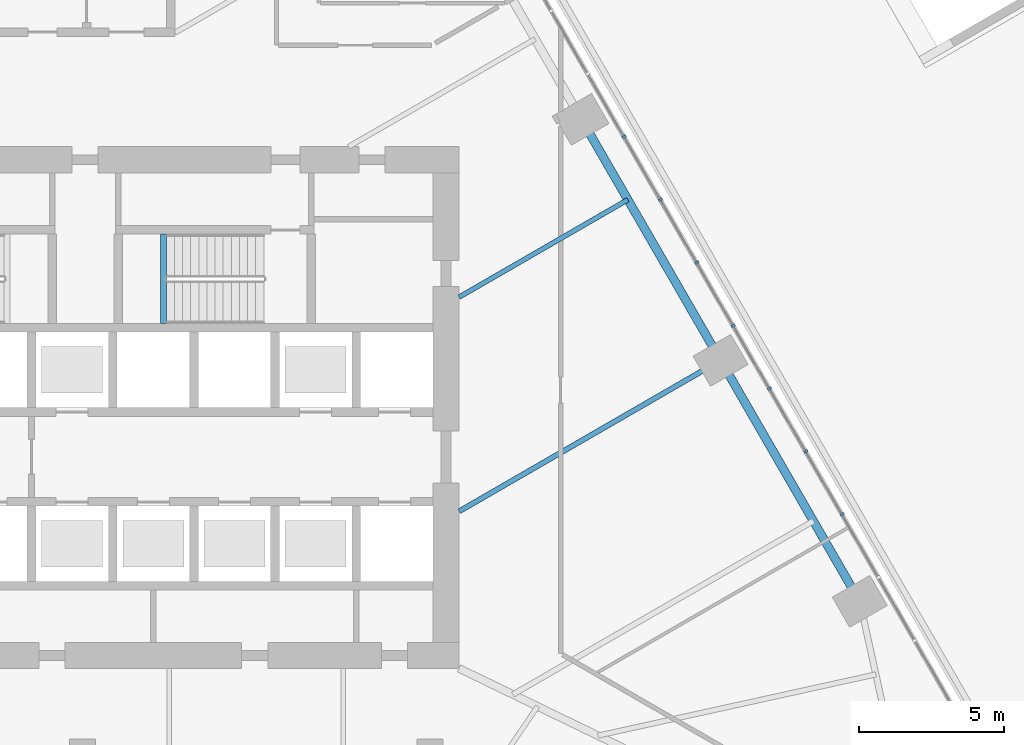
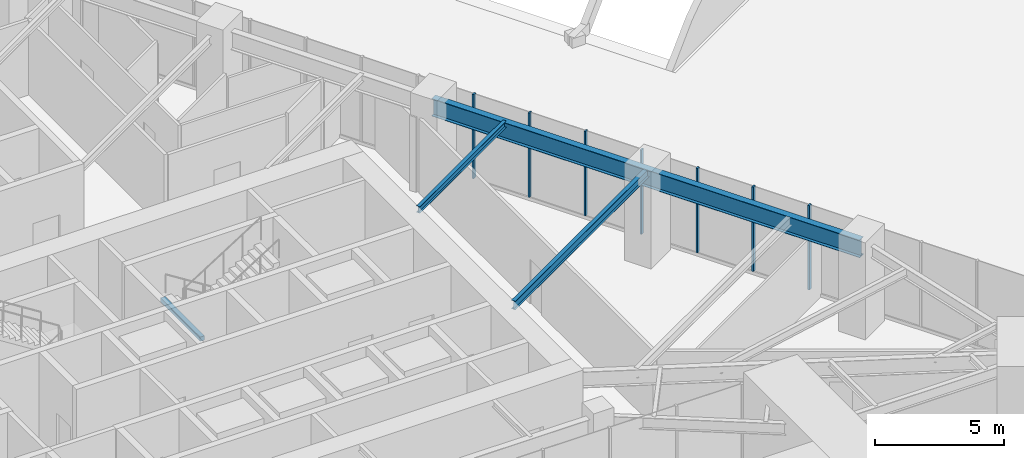
# One storey, part 7 of 23: 7 members, 4 beams, 1 element without a shape of its own.
"""IFC4 building model written with IfcOpenShell, lengths in metres."""

from ifc_helpers import new_model, si_unit, direction, frame, origin, origin_2d, place, context, subcontext, project, spatial, rectangle, i_section, extrude, material, layer, layer_set, material_profile, profile_set, type_object, element, aggregate, save


model = new_model("IFC4")

# Units and contexts
model_context = context("Model", 3, precision=1e-05, world=origin(), true_north=direction((0.0, 1.0)))
body_context = subcontext(model_context, "Body", "Model", "MODEL_VIEW")
ifc_project = project(units=[si_unit("LENGTHUNIT", "METRE"), si_unit("AREAUNIT", "SQUARE_METRE"), si_unit("VOLUMEUNIT", "CUBIC_METRE"), si_unit("PLANEANGLEUNIT", "RADIAN"), si_unit("MASSUNIT", "GRAM", prefix="KILO")], contexts=[model_context])

# Site, building, storey
site_placement = place(None, origin())
site = spatial("IfcSite", under=ifc_project, at=site_placement, CompositionType="ELEMENT")
building_placement = place(site_placement, origin())
building = spatial("IfcBuilding", under=site, at=building_placement, Name="Firuza Gate Tower and Library", CompositionType="ELEMENT")
storey_placement = place(building_placement, frame((0.0, 0.0, 26.39990234375)))
storey = spatial("IfcBuildingStorey", under=building, at=storey_placement, Name="L05", CompositionType="ELEMENT", Elevation=26.39990234375)

# Curtain wall, members
ifc_material_1 = material(Name="Aluminium 6063-T6", Category="aluminium")
ifc_layer = layer(ifc_material_1, 0.14990234375)
ifc_layer_set = layer_set([ifc_layer], Name="Stick curtain wall, podium")
curtain_wall_type = type_object("IfcCurtainWallType", Name="Stick curtain wall, podium", PredefinedType="NOTDEFINED", material=ifc_layer_set)
curtain_wall_placement = place(storey_placement, origin())
curtain_wall = element("IfcCurtainWall", 1, at=curtain_wall_placement, inside=storey, type_object=curtain_wall_type, Name="CW5 L05 E", PredefinedType="NOTDEFINED")
ifc_material_2 = material(Name="Aluminium 6063-T6", Category="aluminium")
ifc_material_profile_1 = material_profile(ifc_material_2, rectangle(XDim=0.14990234375, YDim=0.080078125, at=origin_2d()))
ifc_profile_set_1 = profile_set([ifc_material_profile_1], Name="Aluminium 6063-T6")
member_type = type_object("IfcMemberType", Name="Curtain wall mullion 80x150", PredefinedType="MULLION", material=ifc_profile_set_1)
member_1_placement = place(storey_placement, frame((101.21630859375, 71.311279296875, 0.150146484375), z_axis=(0.0, 0.0, 1.0), x_axis=(-0.866025403784, -0.5, 0.0)))
member_1 = element("IfcMember", 2, at=member_1_placement, type_object=member_type, Name="Mullion", PredefinedType="MULLION", context=body_context, shape_type="SweptSolid", body=[
    extrude(rectangle(XDim=0.14990234375, YDim=0.080078125, at=origin_2d()), origin(), (0.0, 0.0, 1.0), 4.0),
])
member_2_placement = place(storey_placement, frame((99.962158203125, 73.4833984375, 0.150146484375), z_axis=(0.0, 0.0, 1.0), x_axis=(-0.866025403784, -0.5, 0.0)))
member_2 = element("IfcMember", 3, at=member_2_placement, type_object=member_type, Name="Mullion", PredefinedType="MULLION", context=body_context, shape_type="SweptSolid", body=[
    extrude(rectangle(XDim=0.14990234375, YDim=0.080078125, at=origin_2d()), origin(), (0.0, 0.0, 1.0), 4.0),
])
member_3_placement = place(storey_placement, frame((98.708251953125, 75.655517578125, 0.150146484375), z_axis=(0.0, 0.0, 1.0), x_axis=(-0.866025403784, -0.5, 0.0)))
member_3 = element("IfcMember", 4, at=member_3_placement, type_object=member_type, Name="Mullion", PredefinedType="MULLION", context=body_context, shape_type="SweptSolid", body=[
    extrude(rectangle(XDim=0.14990234375, YDim=0.080078125, at=origin_2d()), origin(), (0.0, 0.0, 1.0), 4.0),
])
member_4_placement = place(storey_placement, frame((97.4541015625, 77.827392578125, 0.150146484375), z_axis=(0.0, 0.0, 1.0), x_axis=(-0.866025403784, -0.5, 0.0)))
member_4 = element("IfcMember", 5, at=member_4_placement, type_object=member_type, Name="Mullion", PredefinedType="MULLION", context=body_context, shape_type="SweptSolid", body=[
    extrude(rectangle(XDim=0.14990234375, YDim=0.080078125, at=origin_2d()), origin(), (0.0, 0.0, 1.0), 4.0),
])
member_5_placement = place(storey_placement, frame((96.2001953125, 79.99951171875, 0.150146484375), z_axis=(0.0, 0.0, 1.0), x_axis=(-0.866025403784, -0.5, 0.0)))
member_5 = element("IfcMember", 6, at=member_5_placement, type_object=member_type, Name="Mullion", PredefinedType="MULLION", context=body_context, shape_type="SweptSolid", body=[
    extrude(rectangle(XDim=0.14990234375, YDim=0.080078125, at=origin_2d()), origin(), (0.0, 0.0, 1.0), 4.0),
])
member_6_placement = place(storey_placement, frame((94.946044921875, 82.171630859375, 0.150146484375), z_axis=(0.0, 0.0, 1.0), x_axis=(-0.866025403784, -0.5, 0.0)))
member_6 = element("IfcMember", 7, at=member_6_placement, type_object=member_type, Name="Mullion", PredefinedType="MULLION", context=body_context, shape_type="SweptSolid", body=[
    extrude(rectangle(XDim=0.14990234375, YDim=0.080078125, at=origin_2d()), origin(), (0.0, 0.0, 1.0), 4.0),
])
member_7_placement = place(storey_placement, frame((93.69189453125, 84.34375, 0.150146484375), z_axis=(0.0, 0.0, 1.0), x_axis=(-0.866025403784, -0.5, 0.0)))
member_7 = element("IfcMember", 8, at=member_7_placement, type_object=member_type, Name="Mullion", PredefinedType="MULLION", context=body_context, shape_type="SweptSolid", body=[
    extrude(rectangle(XDim=0.14990234375, YDim=0.080078125, at=origin_2d()), origin(), (0.0, 0.0, 1.0), 4.0),
])
aggregate(curtain_wall, [member_1, member_2, member_3, member_4, member_5, member_6, member_7])

# Beams
ifc_material_3 = material(Name="Concrete C35/45", Category="concrete")
ifc_material_profile_2 = material_profile(ifc_material_3, rectangle(XDim=0.199951171875, YDim=0.199951171875, at=origin_2d()))
ifc_profile_set_2 = profile_set([ifc_material_profile_2], Name="Concrete C35/45")
beam_type_1 = type_object("IfcBeamType", Name="Stair landing bearer 200x200", PredefinedType="BEAM", material=ifc_profile_set_2)
beam_1_placement = place(storey_placement, frame((77.800048828125, 80.97998046875, 2.0), z_axis=(0.0, -1.0, 0.0), x_axis=(1.0, 0.0, 0.0)))
element("IfcBeam", 9, at=beam_1_placement, inside=storey, type_object=beam_type_1, Name="Landing bearer L05 stair 2", PredefinedType="BEAM", context=body_context, shape_type="SweptSolid", body=[
    extrude(rectangle(XDim=0.199951171875, YDim=0.199951171875, at=origin_2d()), origin(), (0.0, 0.0, 1.0), 3.080078125),
])
ifc_material_4 = material(Name="Steel S355", Category="steel")
ifc_material_profile_3 = material_profile(ifc_material_4, i_section(OverallWidth=0.1650390625, OverallDepth=0.31005859375, WebThickness=0.005859375, FlangeThickness=0.009765625, at=origin_2d()))
ifc_profile_set_3 = profile_set([ifc_material_profile_3], Name="Steel S355")
beam_type_2 = type_object("IfcBeamType", Name="W310x39 Floor beam", PredefinedType="JOIST", material=ifc_profile_set_3)
beam_2_placement = place(storey_placement, frame((93.820556640625, 82.171142578125, 3.9951171875), z_axis=(-0.866019234261, -0.500010685776, 0.0), x_axis=(0.500010685776, -0.866019234261, 0.0)))
element("IfcBeam", 10, at=beam_2_placement, inside=storey, type_object=beam_type_2, Name="Floor beam L05 s72", PredefinedType="JOIST", context=body_context, shape_type="SweptSolid", body=[
    extrude(i_section(OverallWidth=0.1650390625, OverallDepth=0.31005859375, WebThickness=0.005859375, FlangeThickness=0.009765625, at=origin_2d()), origin(), (0.0, 0.0, 1.0), 6.720947265625),
])
ifc_material_5 = material(Name="Steel S355", Category="steel")
ifc_material_profile_4 = material_profile(ifc_material_5, i_section(OverallWidth=0.177978515625, OverallDepth=0.406982421875, WebThickness=0.0078125, FlangeThickness=0.0126953125, at=origin_2d()))
ifc_profile_set_4 = profile_set([ifc_material_profile_4], Name="Steel S355")
beam_type_3 = type_object("IfcBeamType", Name="W410x60 Floor beam", PredefinedType="JOIST", material=ifc_profile_set_4)
beam_3_placement = place(storey_placement, frame((97.0205078125, 76.62841796875, 3.946533203125), z_axis=(-0.866024771944, -0.500001094379, 0.0), x_axis=(0.500001094379, -0.866024771944, 0.0)))
element("IfcBeam", 11, at=beam_3_placement, inside=storey, type_object=beam_type_3, Name="Floor beam L05 s71", PredefinedType="JOIST", context=body_context, shape_type="SweptSolid", body=[
    extrude(i_section(OverallWidth=0.177978515625, OverallDepth=0.406982421875, WebThickness=0.0078125, FlangeThickness=0.0126953125, at=origin_2d()), origin(), (0.0, 0.0, 1.0), 10.416015625),
])
ifc_material_6 = material(Name="Steel S355", Category="steel")
ifc_material_profile_5 = material_profile(ifc_material_6, i_section(OverallWidth=0.2919921875, OverallDepth=0.8349609375, WebThickness=0.013916015625, FlangeThickness=0.018798828125, at=origin_2d()))
ifc_profile_set_5 = profile_set([ifc_material_profile_5], Name="Steel S355")
beam_type_4 = type_object("IfcBeamType", Name="W840x176 Edge beam", PredefinedType="SPANDREL", material=ifc_profile_set_5)
beam_4_placement = place(storey_placement, frame((101.820556640625, 68.314697265625, 3.732666015625), z_axis=(-0.500003864429, 0.866023172644, 0.0), x_axis=(-0.866023172644, -0.500003864429, 0.0)))
element("IfcBeam", 12, at=beam_4_placement, inside=storey, type_object=beam_type_4, Name="Edge beam L05 e70", PredefinedType="SPANDREL", context=body_context, shape_type="SweptSolid", body=[
    extrude(i_section(OverallWidth=0.2919921875, OverallDepth=0.8349609375, WebThickness=0.013916015625, FlangeThickness=0.018798828125, at=origin_2d()), origin(), (0.0, 0.0, 1.0), 19.199951171875),
])

save(model, "model.ifc")
